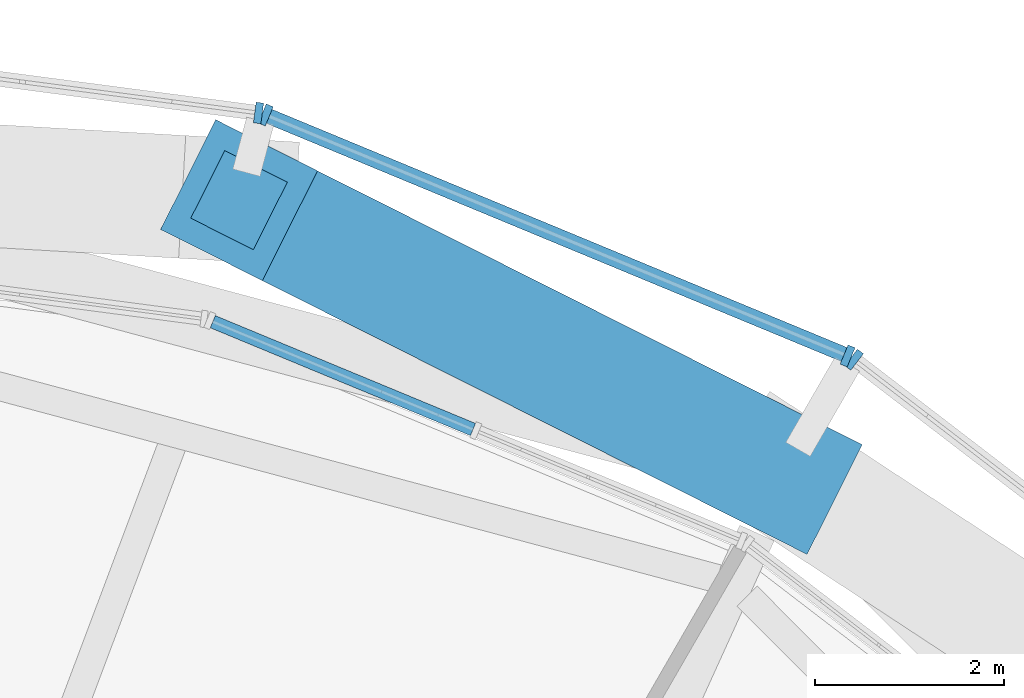
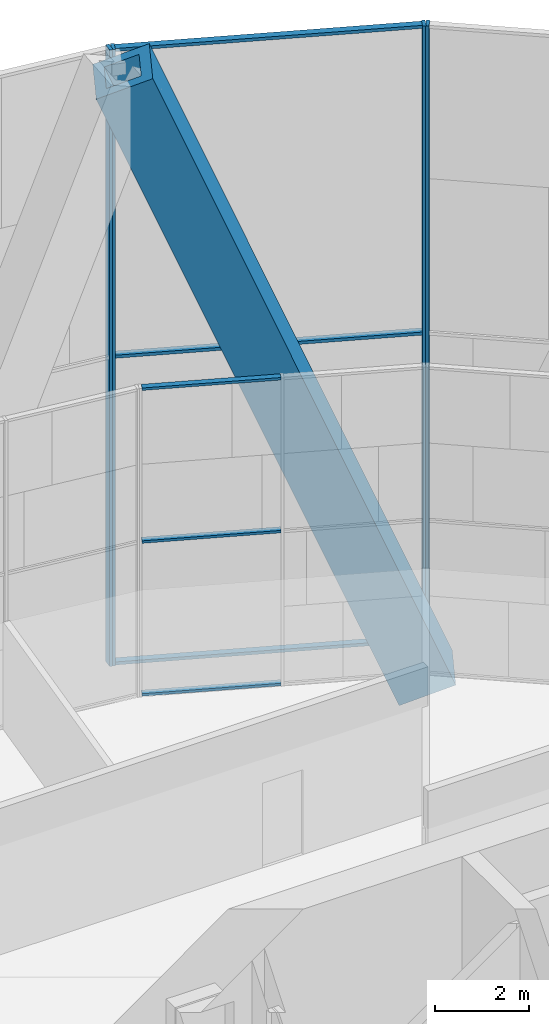
# One storey, part 9 of 22: 11 members, 4 elements without a shape of their own.
"""IFC4 building model written with IfcOpenShell, lengths in metres."""

from ifc_helpers import new_model, si_unit, direction, frame, origin, origin_2d, place, context, subcontext, project, spatial, rectangle, hollow_rectangle, extrude, material, material_profile, profile_set, type_object, element, aggregate, save


model = new_model("IFC4")

# Units and contexts
model_context = context("Model", 3, precision=1e-05, world=origin(), true_north=direction((0.0, 1.0)))
body_context = subcontext(model_context, "Body", "Model", "MODEL_VIEW")
ifc_project = project(units=[si_unit("LENGTHUNIT", "METRE"), si_unit("AREAUNIT", "SQUARE_METRE"), si_unit("VOLUMEUNIT", "CUBIC_METRE"), si_unit("PLANEANGLEUNIT", "RADIAN"), si_unit("MASSUNIT", "GRAM", prefix="KILO")], contexts=[model_context])

# Site, building, storey
site_placement = place(None, origin())
site = spatial("IfcSite", under=ifc_project, at=site_placement, CompositionType="ELEMENT")
building_placement = place(site_placement, origin())
building = spatial("IfcBuilding", under=site, at=building_placement, Name="Golbaran Civic Tower", CompositionType="ELEMENT")
storey_placement = place(building_placement, frame((0.0, 0.0, 53.0)))
storey = spatial("IfcBuildingStorey", under=building, at=storey_placement, Name="L12", CompositionType="ELEMENT", Elevation=53.0)

# Member
ifc_material_1 = material(Name="Steel S355", Category="steel")
ifc_material_profile_1 = material_profile(ifc_material_1, hollow_rectangle(XDim=1.300048828125, YDim=1.300048828125, WallThickness=0.25, at=origin_2d()), Name="BOX 1300x1300x250")
ifc_profile_set_1 = profile_set([ifc_material_profile_1], Name="Steel S355")
member_type_1 = type_object("IfcMemberType", Name="DIAGRID DIAGONAL BOX 1300x1300x250", PredefinedType="BRACE", material=ifc_profile_set_1)
member_1_placement = place(storey_placement, frame((12.2080078125, 21.144775390625, -0.7099609375), z_axis=(-0.334194514401, 0.167988782201, 0.927412419368), x_axis=(-0.449119378723, -0.893471758734, 0.0)))
element("IfcMember", 1, at=member_1_placement, inside=storey, type_object=member_type_1, Name="Diagonal D02-02R L12-L16", PredefinedType="BRACE", context=body_context, shape_type="SweptSolid", body=[
    extrude(hollow_rectangle(XDim=1.300048828125, YDim=1.300048828125, WallThickness=0.25, at=origin_2d()), origin(), (0.0, 0.0, 1.0), 17.252197265625),
])

# Curtain wall, members
ifc_material_2 = material(Name="Aluminium and glass", Category="aluminium")
curtain_wall_type_1 = type_object("IfcCurtainWallType", Name="INNER SKIN CURTAIN WALL", PredefinedType="NOTDEFINED", material=ifc_material_2)
curtain_wall_1_placement = place(storey_placement, origin())
curtain_wall_1 = element("IfcCurtainWall", 2, at=curtain_wall_1_placement, inside=storey, type_object=curtain_wall_type_1, Name="Inner skin L12 facet 5 CW1", ObjectType="INNER SKIN", PredefinedType="USERDEFINED")
ifc_material_3 = material(Name="Aluminium", Category="aluminium")
ifc_material_profile_2 = material_profile(ifc_material_3, rectangle(XDim=0.139892578125, YDim=0.06494140625, at=origin_2d()), Name="INNER SKIN CURTAIN WALL TRANSOM")
ifc_profile_set_2 = profile_set([ifc_material_profile_2], Name="Aluminium")
member_type_2 = type_object("IfcMemberType", Name="INNER SKIN CURTAIN WALL TRANSOM", PredefinedType="USERDEFINED", material=ifc_profile_set_2)
member_2_placement = place(storey_placement, frame((8.91845703125, 21.61572265625, 0.032470703125), z_axis=(-0.923872096684, 0.382701383548, 0.0), x_axis=(-0.382701383548, -0.923872096684, 0.0)))
member_2 = element("IfcMember", 3, at=member_2_placement, type_object=member_type_2, Name="CW1 transom 2.1", ObjectType="TRANSOM", PredefinedType="USERDEFINED", context=body_context, shape_type="SweptSolid", body=[
    extrude(rectangle(XDim=0.139892578125, YDim=0.06494140625, at=origin_2d()), origin(), (0.0, 0.0, 1.0), 2.981201171875),
])
member_3_placement = place(storey_placement, frame((8.91845703125, 21.61572265625, 4.0), z_axis=(-0.923872096684, 0.382701383548, 0.0), x_axis=(-0.382701383548, -0.923872096684, 0.0)))
member_3 = element("IfcMember", 4, at=member_3_placement, type_object=member_type_2, Name="CW1 transom 2.2", ObjectType="TRANSOM", PredefinedType="USERDEFINED", context=body_context, shape_type="SweptSolid", body=[
    extrude(rectangle(XDim=0.139892578125, YDim=0.06494140625, at=origin_2d()), origin(), (0.0, 0.0, 1.0), 2.981201171875),
])
member_4_placement = place(storey_placement, frame((8.91845703125, 21.61572265625, 7.967529296875), z_axis=(-0.923872096684, 0.382701383548, 0.0), x_axis=(-0.382701383548, -0.923872096684, 0.0)))
member_4 = element("IfcMember", 5, at=member_4_placement, type_object=member_type_2, Name="CW1 transom 2.3", ObjectType="TRANSOM", PredefinedType="USERDEFINED", context=body_context, shape_type="SweptSolid", body=[
    extrude(rectangle(XDim=0.139892578125, YDim=0.06494140625, at=origin_2d()), origin(), (0.0, 0.0, 1.0), 2.981201171875),
])
aggregate(curtain_wall_1, [member_2, member_3, member_4])

# Curtain wall, member
curtain_wall_type_2 = type_object("IfcCurtainWallType", Name="OUTER SKIN TERRACOTTA SCREEN", PredefinedType="NOTDEFINED", material=ifc_material_2)
curtain_wall_2_placement = place(storey_placement, origin())
curtain_wall_2 = element("IfcCurtainWall", 6, at=curtain_wall_2_placement, inside=storey, type_object=curtain_wall_type_2, Name="Outer skin L12 facet 4 CW3", ObjectType="OUTER SKIN", PredefinedType="USERDEFINED")
ifc_material_profile_3 = material_profile(ifc_material_3, rectangle(XDim=0.219970703125, YDim=0.080078125, at=origin_2d()), Name="OUTER SKIN TERRACOTTA SCREEN MULLION")
ifc_profile_set_3 = profile_set([ifc_material_profile_3], Name="Aluminium")
member_type_3 = type_object("IfcMemberType", Name="OUTER SKIN TERRACOTTA SCREEN MULLION", PredefinedType="MULLION", material=ifc_profile_set_3)
member_5_placement = place(storey_placement, frame((12.9521484375, 22.3544921875, -0.7099609375), z_axis=(0.0, 0.0, 1.0), x_axis=(-0.608761428926, -0.793353340355, 0.0)))
member_5 = element("IfcMember", 7, at=member_5_placement, type_object=member_type_3, Name="CW3 mullion 2", PredefinedType="MULLION", context=body_context, shape_type="SweptSolid", body=[
    extrude(rectangle(XDim=0.219970703125, YDim=0.080078125, at=origin_2d()), origin(), (0.0, 0.0, 1.0), 16.0),
])
aggregate(curtain_wall_2, [member_5])

# Curtain wall, members
curtain_wall_3_placement = place(storey_placement, origin())
curtain_wall_3 = element("IfcCurtainWall", 8, at=curtain_wall_3_placement, inside=storey, type_object=curtain_wall_type_2, Name="Outer skin L12 facet 5 CW3", ObjectType="OUTER SKIN", PredefinedType="USERDEFINED")
member_6_placement = place(storey_placement, frame((12.883544921875, 22.394287109375, -0.7099609375), z_axis=(0.0, 0.0, 1.0), x_axis=(-0.382683432349, -0.923879532518, 0.0)))
member_6 = element("IfcMember", 9, at=member_6_placement, type_object=member_type_3, Name="CW3 mullion 1", PredefinedType="MULLION", context=body_context, shape_type="SweptSolid", body=[
    extrude(rectangle(XDim=0.219970703125, YDim=0.080078125, at=origin_2d()), origin(), (0.0, 0.0, 1.0), 16.0),
])
member_7_placement = place(storey_placement, frame((6.72509765625, 24.945068359375, -0.7099609375), z_axis=(0.0, 0.0, 1.0), x_axis=(-0.382683432349, -0.923879532518, 0.0)))
member_7 = element("IfcMember", 10, at=member_7_placement, type_object=member_type_3, Name="CW3 mullion 2", PredefinedType="MULLION", context=body_context, shape_type="SweptSolid", body=[
    extrude(rectangle(XDim=0.219970703125, YDim=0.080078125, at=origin_2d()), origin(), (0.0, 0.0, 1.0), 16.0),
])

# Curtain wall, member
curtain_wall_4_placement = place(storey_placement, origin())
curtain_wall_4 = element("IfcCurtainWall", 11, at=curtain_wall_4_placement, inside=storey, type_object=curtain_wall_type_2, Name="Outer skin L12 facet 6 CW3", ObjectType="OUTER SKIN", PredefinedType="USERDEFINED")
member_8_placement = place(storey_placement, frame((6.6484375, 24.9658203125, -0.7099609375), z_axis=(0.0, 0.0, 1.0), x_axis=(-0.130526192255, -0.991444861369, 0.0)))
member_8 = element("IfcMember", 12, at=member_8_placement, type_object=member_type_3, Name="CW3 mullion 1", PredefinedType="MULLION", context=body_context, shape_type="SweptSolid", body=[
    extrude(rectangle(XDim=0.219970703125, YDim=0.080078125, at=origin_2d()), origin(), (0.0, 0.0, 1.0), 16.0),
])
aggregate(curtain_wall_4, [member_8])

# Member
ifc_material_profile_4 = material_profile(ifc_material_3, rectangle(XDim=0.159912109375, YDim=0.080078125, at=origin_2d()), Name="OUTER SKIN TERRACOTTA SCREEN TRANSOM")
ifc_profile_set_4 = profile_set([ifc_material_profile_4], Name="Aluminium")
member_type_4 = type_object("IfcMemberType", Name="OUTER SKIN TERRACOTTA SCREEN TRANSOM", PredefinedType="USERDEFINED", material=ifc_profile_set_4)
member_9_placement = place(storey_placement, frame((12.8466796875, 22.40966796875, -0.669921875), z_axis=(-0.923885359564, 0.382669364313, 0.0), x_axis=(-0.382669364313, -0.923885359564, 0.0)))
member_9 = element("IfcMember", 13, at=member_9_placement, type_object=member_type_4, Name="CW3 transom 1.1", ObjectType="TRANSOM", PredefinedType="USERDEFINED", context=body_context, shape_type="SweptSolid", body=[
    extrude(rectangle(XDim=0.159912109375, YDim=0.080078125, at=origin_2d()), origin(), (0.0, 0.0, 1.0), 6.5859375),
])

member_10_placement = place(storey_placement, frame((12.8466796875, 22.40966796875, 7.2900390625), z_axis=(-0.923885359564, 0.382669364313, 0.0), x_axis=(-0.382669364313, -0.923885359564, 0.0)))
member_10 = element("IfcMember", 14, at=member_10_placement, type_object=member_type_4, Name="CW3 transom 1.2", ObjectType="TRANSOM", PredefinedType="USERDEFINED", context=body_context, shape_type="SweptSolid", body=[
    extrude(rectangle(XDim=0.159912109375, YDim=0.080078125, at=origin_2d()), origin(), (0.0, 0.0, 1.0), 6.5859375),
])

member_11_placement = place(storey_placement, frame((12.8466796875, 22.40966796875, 15.25), z_axis=(-0.923885359564, 0.382669364313, 0.0), x_axis=(-0.382669364313, -0.923885359564, 0.0)))
member_11 = element("IfcMember", 15, at=member_11_placement, type_object=member_type_4, Name="CW3 transom 1.3", ObjectType="TRANSOM", PredefinedType="USERDEFINED", context=body_context, shape_type="SweptSolid", body=[
    extrude(rectangle(XDim=0.159912109375, YDim=0.080078125, at=origin_2d()), origin(), (0.0, 0.0, 1.0), 6.5859375),
])

aggregate(curtain_wall_3, [member_6, member_7, member_9, member_10, member_11])

save(model, "model.ifc")
